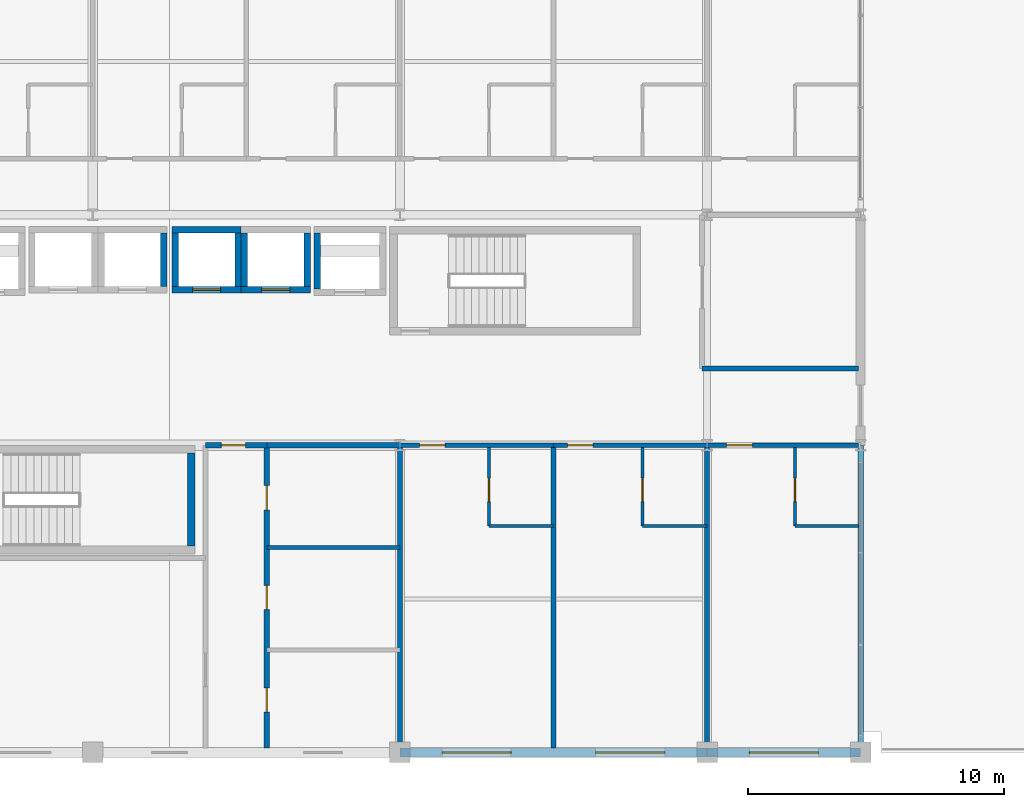
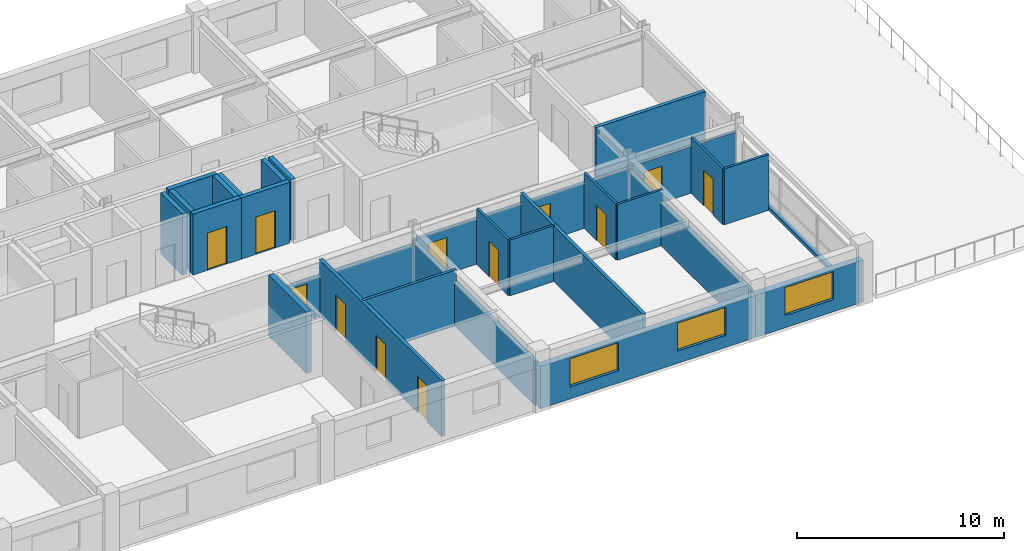
# One storey, part 23 of 27: 30 walls, 12 doors, 3 windows, 15 openings.
"""IFC4 building model written with IfcOpenShell, lengths in metres."""

import ifcopenshell
import ifcopenshell.guid

model = None  # the IFC model being written
_history = None  # IfcOwnerHistory: only IFC2X3 demands one
_inside = {}  # id of a spatial element -> (the spatial element, [elements in it])
_under = {}  # id of a project, library or spatial element -> (it, [spatial elements below it])
_declared = {}  # id of a project -> (the project, [libraries it declares])
_typed = {}  # id of a type object -> (the type object, [elements of that type])
_made_of = {}  # id of a material, layer set ... -> (it, [elements and type objects made of it])


def new_model(schema):
    """Start an empty IFC model of exactly this schema.

    Asked for "IFC4X3", IfcOpenShell would pick the latest addendum, in which some entities
    have other attributes; the version numbers below select the first issue.
    IFC2X3 requires an IfcOwnerHistory on every rooted entity: one is made here for all.
    """
    global model, _history
    if schema == "IFC4X3":
        model = ifcopenshell.file(schema_version=(4, 3, 0, 0))
    else:
        model = ifcopenshell.file(schema=schema)
    _inside.clear()
    _under.clear()
    _declared.clear()
    _typed.clear()
    _made_of.clear()
    _history = None
    if model.schema == "IFC2X3":
        org = make("IfcOrganization", Name="unknown")
        user = make(
            "IfcPersonAndOrganization",
            ThePerson=make("IfcPerson", FamilyName="unknown"),
            TheOrganization=org,
        )
        app = make(
            "IfcApplication",
            ApplicationDeveloper=org,
            Version="unknown",
            ApplicationFullName="unknown",
            ApplicationIdentifier="unknown",
        )
        _history = make(
            "IfcOwnerHistory",
            OwningUser=user,
            OwningApplication=app,
            ChangeAction="ADDED",
            CreationDate=0,
        )
    return model


def make(cls, **values):
    """One entity of the class cls with the attributes given. An attribute that is None is left unset."""
    return model.create_entity(
        cls, **{name: value for name, value in values.items() if value is not None}
    )


def rooted(cls, **values):
    """An entity with a GlobalId (a new one), such as an element, a storey or a relation."""
    return make(cls, GlobalId=ifcopenshell.guid.new(), OwnerHistory=_history, **values)


def si_unit(unit_type, name, prefix=None):
    """IfcSIUnit, for example si_unit("LENGTHUNIT", "METRE", prefix="MILLI")."""
    return make("IfcSIUnit", UnitType=unit_type, Prefix=prefix, Name=name)


def assignment(units):
    """IfcUnitAssignment: the units of a project."""
    return None if units is None else make("IfcUnitAssignment", Units=units)


def point(xyz):
    """IfcCartesianPoint."""
    return None if xyz is None else make("IfcCartesianPoint", Coordinates=xyz)


def direction(xyz):
    """IfcDirection."""
    return None if xyz is None else make("IfcDirection", DirectionRatios=xyz)


def frame(location, z_axis=None, x_axis=None):
    """IfcAxis2Placement3D, a coordinate frame: its origin and axes. An axis left out is left unset."""
    return make(
        "IfcAxis2Placement3D",
        Location=point(location),
        Axis=direction(z_axis),
        RefDirection=direction(x_axis),
    )


def frame_2d(location, x_axis=None):
    """IfcAxis2Placement2D, a coordinate frame in the plane: its origin and x axis."""
    return make(
        "IfcAxis2Placement2D", Location=point(location), RefDirection=direction(x_axis)
    )


def origin():
    """The frame at (0, 0, 0) with its axes left unset."""
    return frame((0.0, 0.0, 0.0))


def place(relative_to, where):
    """IfcLocalPlacement: puts the frame where relative to a parent placement (None: the world)."""
    return make(
        "IfcLocalPlacement", PlacementRelTo=relative_to, RelativePlacement=where
    )


def context(
    kind, dimensions, precision=None, world=None, true_north=None, identifier=None
):
    """IfcGeometricRepresentationContext, for example the 3D "Model" context."""
    return make(
        "IfcGeometricRepresentationContext",
        ContextIdentifier=identifier,
        ContextType=kind,
        CoordinateSpaceDimension=dimensions,
        Precision=precision,
        WorldCoordinateSystem=world,
        TrueNorth=true_north,
    )


def subcontext(parent, identifier, kind, view, scale=None):
    """IfcGeometricRepresentationSubContext, for example "Body" below "Model"."""
    return make(
        "IfcGeometricRepresentationSubContext",
        ContextIdentifier=identifier,
        ContextType=kind,
        ParentContext=parent,
        TargetScale=scale,
        TargetView=view,
    )


def project(units=None, contexts=None):
    """IfcProject with its units and contexts."""
    return rooted(
        "IfcProject",
        Name="project",
        RepresentationContexts=contexts,
        UnitsInContext=assignment(units),
    )


def spatial(cls, under=None, at=None, **own):
    """A site, building, storey or space (cls), placed at a placement, below another one or the project."""
    s = rooted(cls, ObjectPlacement=at, **own)
    if under is not None:
        _under.setdefault(under.id(), (under, []))[1].append(s)
    return s


def profile(cls, at=None, kind="AREA", **sizes):
    """A parametric profile (cls). Its sizes go by their IFC names, for example OverallWidth=200.0."""
    return make(cls, ProfileType=kind, Position=at, **sizes)


def rectangle(**sizes):
    """IfcRectangleProfileDef."""
    return profile("IfcRectangleProfileDef", **sizes)


def extrude(swept, where, along, depth):
    """IfcExtrudedAreaSolid: the profile swept, set in the frame where, extruded along a direction by depth."""
    return make(
        "IfcExtrudedAreaSolid",
        SweptArea=swept,
        Position=where,
        ExtrudedDirection=direction(along),
        Depth=depth,
    )


def shape(context_of_items, identifier, shape_type, items):
    """IfcShapeRepresentation: the items that make up one representation, for example the "Body"."""
    return make(
        "IfcShapeRepresentation",
        ContextOfItems=context_of_items,
        RepresentationIdentifier=identifier,
        RepresentationType=shape_type,
        Items=items,
    )


def material(Name=None, Category=None):
    """IfcMaterial."""
    return make("IfcMaterial", Name=Name, Category=Category)


def layer(
    of_material, thickness, ventilated=None, Name=None, Category=None, Priority=None
):
    """IfcMaterialLayer: one layer of a wall or slab, of a material (None: an air gap)."""
    return make(
        "IfcMaterialLayer",
        Material=of_material,
        LayerThickness=thickness,
        IsVentilated=ventilated,
        Name=Name,
        Category=Category,
        Priority=Priority,
    )


def layer_set(layers, Name=None):
    """IfcMaterialLayerSet."""
    return make("IfcMaterialLayerSet", MaterialLayers=layers, LayerSetName=Name)


def made_of(thing, what):
    """Note that an element or type object is made of a material, layer set ...; save() writes the relation."""
    if what is not None:
        _made_of.setdefault(what.id(), (what, []))[1].append(thing)
    return thing


def type_object(cls, material=None, **own):
    """A type object (cls), such as IfcWallType, which elements share."""
    return made_of(rooted(cls, **own), material)


def element(
    cls,
    number,
    at=None,
    inside=None,
    cuts=None,
    type_object=None,
    material=None,
    context=None,
    identifier="Body",
    shape_type=None,
    held_by="IfcProductDefinitionShape",
    body=None,
    shapes=None,
    **own,
):
    """One element of the class cls, such as IfcWall. Its Tag is "e" and its number.

    at: its placement. inside: the storey or other place that contains it. cuts: it is an
    opening in that element (IfcRelVoidsElement). A single representation is given by context,
    identifier, shape_type and body (its items); several are given by shapes. held_by: the class
    of the entity that holds the representations. save() writes the other relations.
    """
    e = rooted(cls, Tag="e%d" % number, ObjectPlacement=at, **own)
    if body is not None:
        shapes = [shape(context, identifier, shape_type, body)]
    if shapes is not None:
        e.Representation = make(held_by, Representations=shapes)
    if inside is not None:
        _inside.setdefault(inside.id(), (inside, []))[1].append(e)
    if cuts is not None:
        rooted(
            "IfcRelVoidsElement", RelatingBuildingElement=cuts, RelatedOpeningElement=e
        )
    if type_object is not None:
        _typed.setdefault(type_object.id(), (type_object, []))[1].append(e)
    return made_of(e, material)


def fill(opening, filler):
    """IfcRelFillsElement: the door or window that sits in an opening."""
    return rooted(
        "IfcRelFillsElement",
        RelatingOpeningElement=opening,
        RelatedBuildingElement=filler,
    )


def aggregate(whole, parts):
    """IfcRelAggregates: a whole, such as a stair, and the parts it consists of."""
    return rooted("IfcRelAggregates", RelatingObject=whole, RelatedObjects=parts)


def save(model, path):
    """Write the relations noted so far, then the file.

    IfcRelAggregates (storeys below a building ...), IfcRelContainedInSpatialStructure (elements
    in a storey), IfcRelDefinesByType, IfcRelAssociatesMaterial and IfcRelDeclares: one each for
    every whole, place, type object, material and project.
    """
    for whole, parts in _under.values():
        aggregate(whole, parts)
    for where, things in _inside.values():
        rooted(
            "IfcRelContainedInSpatialStructure",
            RelatedElements=things,
            RelatingStructure=where,
        )
    for kind, things in _typed.values():
        rooted("IfcRelDefinesByType", RelatedObjects=things, RelatingType=kind)
    for what, things in _made_of.values():
        rooted("IfcRelAssociatesMaterial", RelatedObjects=things, RelatingMaterial=what)
    for by, libraries in _declared.values():
        rooted("IfcRelDeclares", RelatingContext=by, RelatedDefinitions=libraries)
    model.write(path)


model = new_model("IFC4")

# Units and contexts
model_context = context("Model", 3, precision=1e-05, world=origin(), true_north=direction((0.0, 1.0)))
body_context = subcontext(model_context, "Body", "Model", "MODEL_VIEW")
ifc_project = project(units=[si_unit("LENGTHUNIT", "METRE"), si_unit("AREAUNIT", "SQUARE_METRE"), si_unit("VOLUMEUNIT", "CUBIC_METRE"), si_unit("PLANEANGLEUNIT", "RADIAN"), si_unit("MASSUNIT", "GRAM", prefix="KILO")], contexts=[model_context])

# Site, building, storey
site_placement = place(None, origin())
site = spatial("IfcSite", under=ifc_project, at=site_placement, CompositionType="ELEMENT")
building_placement = place(site_placement, origin())
building = spatial("IfcBuilding", under=site, at=building_placement, Name="Kaldorvane Square Convention Centre", CompositionType="ELEMENT")
storey_placement = place(building_placement, frame((0.0, 0.0, 38.399993896484375)))
storey = spatial("IfcBuildingStorey", under=building, at=storey_placement, Name="L08", CompositionType="ELEMENT", Elevation=38.399993896484375)

# Wall, opening, door
ifc_material_1 = material(Name="Fire-Rated Gypsum Board on Acoustic Steel Studs", Category="steel")
ifc_layer_1 = layer(ifc_material_1, 0.125)
ifc_layer_set_1 = layer_set([ifc_layer_1], Name="Fire-Rated Gypsum Board on Acoustic Steel Studs")
wall_type_1 = type_object("IfcWallType", Name="WL-BATH-125", PredefinedType="PARTITIONING", material=ifc_layer_set_1)
wall_1_placement = place(storey_placement, frame((69.47999572753906, 92.85000610351562, 0.0), z_axis=(0.0, 0.0, 1.0), x_axis=(0.0, 1.0, 0.0)))
wall_1 = element("IfcWall", 1, at=wall_1_placement, inside=storey, type_object=wall_type_1, Name="En-Suite 815 West Wall", PredefinedType="PARTITIONING", context=body_context, shape_type="SweptSolid", body=[
    extrude(rectangle(XDim=3.05999755859375, YDim=0.125, at=frame_2d((1.529998779296875, 0.0))), origin(), (0.0, 0.0, 1.0), 3.290008544921875),
])
opening_1_placement = place(wall_1_placement, frame((0.9499969482421875, 0.0, 0.0)))
opening_1 = element("IfcOpeningElement", 2, at=opening_1_placement, cuts=wall_1, Name="Opening ID-12", PredefinedType="OPENING", context=body_context, shape_type="SweptSolid", body=[
    extrude(rectangle(XDim=0.9199981689453125, YDim=2.100006103515625, at=frame_2d((0.459991455078125, 1.0500030517578125))), frame((0.0, 0.0774993896484375, 0.0), z_axis=(0.0, -1.0, 0.0), x_axis=(1.0, 0.0, 0.0)), (0.0, 0.0, 1.0), 0.154998779296875),
])
ifc_material_2 = material(Name="Architectural Solid-Core White Oak")
door_type_1 = type_object("IfcDoorType", Name="DR-BATH-0920X2100", OperationType="SINGLE_SWING_RIGHT", PredefinedType="DOOR", material=ifc_material_2)
door_1_placement = place(opening_1_placement, origin())
door_1 = element("IfcDoor", 3, at=door_1_placement, inside=storey, type_object=door_type_1, Name="En-Suite Bathroom 815 Door", OperationType="SINGLE_SWING_RIGHT", OverallHeight=2.100006103515625, OverallWidth=0.9199981689453125, PredefinedType="DOOR", context=body_context, shape_type="SweptSolid", body=[
    extrude(rectangle(XDim=0.9199981689453125, YDim=2.100006103515625, at=frame_2d((0.459991455078125, 1.0500030517578125))), frame((0.0, 0.024993896484375, 0.0), z_axis=(0.0, -1.0, 0.0), x_axis=(1.0, 0.0, 0.0)), (0.0, 0.0, 1.0), 0.0500030517578125),
])
fill(opening_1, door_1)

# Wall
wall_2_placement = place(storey_placement, frame((69.47999572753906, 92.85000610351562, 0.0), z_axis=(0.0, 0.0, 1.0), x_axis=(1.0, 0.0, 0.0)))
element("IfcWall", 4, at=wall_2_placement, inside=storey, type_object=wall_type_1, Name="En-Suite 815 South Wall", PredefinedType="PARTITIONING", context=body_context, shape_type="SweptSolid", body=[
    extrude(rectangle(XDim=2.5200042724609375, YDim=0.125, at=frame_2d((1.260009765625, 0.0))), origin(), (0.0, 0.0, 1.0), 3.290008544921875),
])

# Wall, opening, door
wall_3_placement = place(storey_placement, frame((75.47999572753906, 92.85000610351562, 0.0), z_axis=(0.0, 0.0, 1.0), x_axis=(0.0, 1.0, 0.0)))
wall_3 = element("IfcWall", 5, at=wall_3_placement, inside=storey, type_object=wall_type_1, Name="En-Suite 816 West Wall", PredefinedType="PARTITIONING", context=body_context, shape_type="SweptSolid", body=[
    extrude(rectangle(XDim=3.05999755859375, YDim=0.125, at=frame_2d((1.529998779296875, 0.0))), origin(), (0.0, 0.0, 1.0), 3.290008544921875),
])
opening_2_placement = place(wall_3_placement, frame((0.9499969482421875, 0.0, 0.0)))
opening_2 = element("IfcOpeningElement", 6, at=opening_2_placement, cuts=wall_3, Name="Opening ID-12", PredefinedType="OPENING", context=body_context, shape_type="SweptSolid", body=[
    extrude(rectangle(XDim=0.9199981689453125, YDim=2.100006103515625, at=frame_2d((0.459991455078125, 1.0500030517578125))), frame((0.0, 0.0774993896484375, 0.0), z_axis=(0.0, -1.0, 0.0), x_axis=(1.0, 0.0, 0.0)), (0.0, 0.0, 1.0), 0.154998779296875),
])
door_2_placement = place(opening_2_placement, origin())
door_2 = element("IfcDoor", 7, at=door_2_placement, inside=storey, type_object=door_type_1, Name="En-Suite Bathroom 816 Door", OperationType="SINGLE_SWING_RIGHT", OverallHeight=2.100006103515625, OverallWidth=0.9199981689453125, PredefinedType="DOOR", context=body_context, shape_type="SweptSolid", body=[
    extrude(rectangle(XDim=0.9199981689453125, YDim=2.100006103515625, at=frame_2d((0.459991455078125, 1.0500030517578125))), frame((0.0, 0.024993896484375, 0.0), z_axis=(0.0, -1.0, 0.0), x_axis=(1.0, 0.0, 0.0)), (0.0, 0.0, 1.0), 0.0500030517578125),
])
fill(opening_2, door_2)

# Wall
wall_4_placement = place(storey_placement, frame((75.47999572753906, 92.85000610351562, 0.0), z_axis=(0.0, 0.0, 1.0), x_axis=(1.0, 0.0, 0.0)))
element("IfcWall", 8, at=wall_4_placement, inside=storey, type_object=wall_type_1, Name="En-Suite 816 South Wall", PredefinedType="PARTITIONING", context=body_context, shape_type="SweptSolid", body=[
    extrude(rectangle(XDim=2.5200042724609375, YDim=0.125, at=frame_2d((1.260009765625, 0.0))), origin(), (0.0, 0.0, 1.0), 3.290008544921875),
])

# Wall, opening, door
wall_5_placement = place(storey_placement, frame((81.43499755859375, 92.85000610351562, 0.0), z_axis=(0.0, 0.0, 1.0), x_axis=(0.0, 1.0, 0.0)))
wall_5 = element("IfcWall", 9, at=wall_5_placement, inside=storey, type_object=wall_type_1, Name="En-Suite 817 West Wall", PredefinedType="PARTITIONING", context=body_context, shape_type="SweptSolid", body=[
    extrude(rectangle(XDim=3.05999755859375, YDim=0.125, at=frame_2d((1.529998779296875, 0.0))), origin(), (0.0, 0.0, 1.0), 3.290008544921875),
])
opening_3_placement = place(wall_5_placement, frame((0.9499969482421875, 0.0, 0.0)))
opening_3 = element("IfcOpeningElement", 10, at=opening_3_placement, cuts=wall_5, Name="Opening ID-12", PredefinedType="OPENING", context=body_context, shape_type="SweptSolid", body=[
    extrude(rectangle(XDim=0.9199981689453125, YDim=2.100006103515625, at=frame_2d((0.459991455078125, 1.0500030517578125))), frame((0.0, 0.0774993896484375, 0.0), z_axis=(0.0, -1.0, 0.0), x_axis=(1.0, 0.0, 0.0)), (0.0, 0.0, 1.0), 0.154998779296875),
])
door_3_placement = place(opening_3_placement, origin())
door_3 = element("IfcDoor", 11, at=door_3_placement, inside=storey, type_object=door_type_1, Name="En-Suite Bathroom 817 Door", OperationType="SINGLE_SWING_RIGHT", OverallHeight=2.100006103515625, OverallWidth=0.9199981689453125, PredefinedType="DOOR", context=body_context, shape_type="SweptSolid", body=[
    extrude(rectangle(XDim=0.9199981689453125, YDim=2.100006103515625, at=frame_2d((0.459991455078125, 1.0500030517578125))), frame((0.0, 0.024993896484375, 0.0), z_axis=(0.0, -1.0, 0.0), x_axis=(1.0, 0.0, 0.0)), (0.0, 0.0, 1.0), 0.0500030517578125),
])
fill(opening_3, door_3)

# Wall
wall_6_placement = place(storey_placement, frame((81.43499755859375, 92.85000610351562, 0.0), z_axis=(0.0, 0.0, 1.0), x_axis=(1.0, 0.0, 0.0)))
element("IfcWall", 12, at=wall_6_placement, inside=storey, type_object=wall_type_1, Name="En-Suite 817 South Wall", PredefinedType="PARTITIONING", context=body_context, shape_type="SweptSolid", body=[
    extrude(rectangle(XDim=2.4799957275390625, YDim=0.125, at=frame_2d((1.239990234375, 0.0))), origin(), (0.0, 0.0, 1.0), 3.290008544921875),
])

# Wall, opening, door
ifc_layer_2 = layer(ifc_material_1, 0.1999969482421875)
ifc_layer_set_2 = layer_set([ifc_layer_2], Name="Fire-Rated Gypsum Board on Acoustic Steel Studs")
wall_type_2 = type_object("IfcWallType", Name="WL-CORR-200", PredefinedType="PARTITIONING", material=ifc_layer_set_2)
wall_7_placement = place(storey_placement, frame((58.399993896484375, 96.0, 0.0), z_axis=(0.0, 0.0, 1.0), x_axis=(1.0, 0.0, 0.0)))
wall_7 = element("IfcWall", 13, at=wall_7_placement, inside=storey, type_object=wall_type_2, Name="Restroom Vestibule Entry Header (L08)", PredefinedType="PARTITIONING", context=body_context, shape_type="SweptSolid", body=[
    extrude(rectangle(XDim=2.4000091552734375, YDim=0.1999969482421875, at=frame_2d((1.20001220703125, 0.0))), origin(), (0.0, 0.0, 1.0), 2.3590087890625),
])
opening_4_placement = place(wall_7_placement, frame((0.625, 0.0, 0.0)))
opening_4 = element("IfcOpeningElement", 14, at=opening_4_placement, cuts=wall_7, Name="Opening ID-13", PredefinedType="OPENING", context=body_context, shape_type="SweptSolid", body=[
    extrude(rectangle(XDim=0.9499969482421875, YDim=2.149993896484375, at=frame_2d((0.475006103515625, 1.0749969482421875))), frame((0.0, 0.114990234375, 0.0), z_axis=(0.0, -1.0, 0.0), x_axis=(1.0, 0.0, 0.0)), (0.0, 0.0, 1.0), 0.2299957275390625),
])
door_type_2 = type_object("IfcDoorType", Name="DR-WC-0950X2150", OperationType="SINGLE_SWING_LEFT", PredefinedType="DOOR", material=ifc_material_2)
door_4_placement = place(opening_4_placement, origin())
door_4 = element("IfcDoor", 15, at=door_4_placement, inside=storey, type_object=door_type_2, Name="Restroom Vestibule Door (L08)", OperationType="SINGLE_SWING_LEFT", OverallHeight=2.149993896484375, OverallWidth=0.9499969482421875, PredefinedType="DOOR", context=body_context, shape_type="SweptSolid", body=[
    extrude(rectangle(XDim=0.9499969482421875, YDim=2.149993896484375, at=frame_2d((0.475006103515625, 1.0749969482421875))), frame((0.0, 0.024993896484375, 0.0), z_axis=(0.0, -1.0, 0.0), x_axis=(1.0, 0.0, 0.0)), (0.0, 0.0, 1.0), 0.0500030517578125),
])
fill(opening_4, door_4)

# Wall, openings, doors
wall_8_placement = place(storey_placement, frame((60.80000305175781, 84.17500305175781, 0.0), z_axis=(0.0, 0.0, 1.0), x_axis=(0.0, 1.0, 0.0)))
wall_8 = element("IfcWall", 16, at=wall_8_placement, inside=storey, type_object=wall_type_2, Name="Restroom Vestibule East Wall (L08)", PredefinedType="PARTITIONING", context=body_context, shape_type="SweptSolid", body=[
    extrude(rectangle(XDim=11.824996948242188, YDim=0.1999969482421875, at=frame_2d((5.912506103515625, 0.0))), origin(), (0.0, 0.0, 1.0), 3.290008544921875),
])
opening_5_placement = place(wall_8_placement, frame((1.399993896484375, 0.0, 0.0)))
opening_5 = element("IfcOpeningElement", 17, at=opening_5_placement, cuts=wall_8, Name="Opening ID-13", PredefinedType="OPENING", context=body_context, shape_type="SweptSolid", body=[
    extrude(rectangle(XDim=0.9499969482421875, YDim=2.149993896484375, at=frame_2d((0.475006103515625, 1.0749969482421875))), frame((0.0, 0.114990234375, 0.0), z_axis=(0.0, -1.0, 0.0), x_axis=(1.0, 0.0, 0.0)), (0.0, 0.0, 1.0), 0.2299957275390625),
])
opening_6_placement = place(wall_8_placement, frame((5.399993896484375, 0.0, 0.0)))
opening_6 = element("IfcOpeningElement", 18, at=opening_6_placement, cuts=wall_8, Name="Opening ID-13", PredefinedType="OPENING", context=body_context, shape_type="SweptSolid", body=[
    extrude(rectangle(XDim=0.9499969482421875, YDim=2.149993896484375, at=frame_2d((0.475006103515625, 1.0749969482421875))), frame((0.0, 0.114990234375, 0.0), z_axis=(0.0, -1.0, 0.0), x_axis=(1.0, 0.0, 0.0)), (0.0, 0.0, 1.0), 0.2299957275390625),
])
opening_7_placement = place(wall_8_placement, frame((9.300003051757812, 0.0, 0.0)))
opening_7 = element("IfcOpeningElement", 19, at=opening_7_placement, cuts=wall_8, Name="Opening ID-13", PredefinedType="OPENING", context=body_context, shape_type="SweptSolid", body=[
    extrude(rectangle(XDim=0.9499969482421875, YDim=2.149993896484375, at=frame_2d((0.475006103515625, 1.0749969482421875))), frame((0.0, 0.114990234375, 0.0), z_axis=(0.0, -1.0, 0.0), x_axis=(1.0, 0.0, 0.0)), (0.0, 0.0, 1.0), 0.2299957275390625),
])
door_5_placement = place(opening_5_placement, origin())
door_5 = element("IfcDoor", 20, at=door_5_placement, inside=storey, type_object=door_type_2, Name="Accessible Restroom Door (L08)", OperationType="SINGLE_SWING_LEFT", OverallHeight=2.149993896484375, OverallWidth=0.9499969482421875, PredefinedType="DOOR", context=body_context, shape_type="SweptSolid", body=[
    extrude(rectangle(XDim=0.9499969482421875, YDim=2.149993896484375, at=frame_2d((0.475006103515625, 1.0749969482421875))), frame((0.0, 0.024993896484375, 0.0), z_axis=(0.0, -1.0, 0.0), x_axis=(1.0, 0.0, 0.0)), (0.0, 0.0, 1.0), 0.0500030517578125),
])
fill(opening_5, door_5)
door_6_placement = place(opening_6_placement, origin())
door_6 = element("IfcDoor", 21, at=door_6_placement, inside=storey, type_object=door_type_2, Name="Men's Restroom Door (L08)", OperationType="SINGLE_SWING_LEFT", OverallHeight=2.149993896484375, OverallWidth=0.9499969482421875, PredefinedType="DOOR", context=body_context, shape_type="SweptSolid", body=[
    extrude(rectangle(XDim=0.9499969482421875, YDim=2.149993896484375, at=frame_2d((0.475006103515625, 1.0749969482421875))), frame((0.0, 0.024993896484375, 0.0), z_axis=(0.0, -1.0, 0.0), x_axis=(1.0, 0.0, 0.0)), (0.0, 0.0, 1.0), 0.0500030517578125),
])
fill(opening_6, door_6)
door_7_placement = place(opening_7_placement, origin())
door_7 = element("IfcDoor", 22, at=door_7_placement, inside=storey, type_object=door_type_2, Name="Women's Restroom Door (L08)", OperationType="SINGLE_SWING_LEFT", OverallHeight=2.149993896484375, OverallWidth=0.9499969482421875, PredefinedType="DOOR", context=body_context, shape_type="SweptSolid", body=[
    extrude(rectangle(XDim=0.9499969482421875, YDim=2.149993896484375, at=frame_2d((0.475006103515625, 1.0749969482421875))), frame((0.0, 0.024993896484375, 0.0), z_axis=(0.0, -1.0, 0.0), x_axis=(1.0, 0.0, 0.0)), (0.0, 0.0, 1.0), 0.0500030517578125),
])
fill(opening_7, door_7)

# Walls
wall_9_placement = place(storey_placement, frame((66.0, 84.17500305175781, 0.0), z_axis=(0.0, 0.0, 1.0), x_axis=(0.0, 1.0, 0.0)))
element("IfcWall", 23, at=wall_9_placement, inside=storey, type_object=wall_type_2, Name="Restroom East Wall (L08)", PredefinedType="PARTITIONING", context=body_context, shape_type="SweptSolid", body=[
    extrude(rectangle(XDim=11.824996948242188, YDim=0.1999969482421875, at=frame_2d((5.912506103515625, 0.0))), origin(), (0.0, 0.0, 1.0), 2.5900115966796875),
])
wall_10_placement = place(storey_placement, frame((60.80000305175781, 96.0, 0.0), z_axis=(0.0, 0.0, 1.0), x_axis=(1.0, 0.0, 0.0)))
element("IfcWall", 24, at=wall_10_placement, inside=storey, type_object=wall_type_2, Name="Restroom North Wall (L08)", PredefinedType="PARTITIONING", context=body_context, shape_type="SweptSolid", body=[
    extrude(rectangle(XDim=5.1999969482421875, YDim=0.1999969482421875, at=frame_2d((2.600006103515625, 0.0))), origin(), (0.0, 0.0, 1.0), 2.3590087890625),
])
wall_11_placement = place(storey_placement, frame((77.80000305175781, 99.0, 0.0), z_axis=(0.0, 0.0, 1.0), x_axis=(1.0, 0.0, 0.0)))
element("IfcWall", 25, at=wall_11_placement, inside=storey, type_object=wall_type_2, Name="East Square View Lounge (L08) S Wall", PredefinedType="PARTITIONING", context=body_context, shape_type="SweptSolid", body=[
    extrude(rectangle(XDim=6.114990234375, YDim=0.1999969482421875, at=frame_2d((3.0574951171875, 0.0))), origin(), (0.0, 0.0, 1.0), 3.290008544921875),
])

# Wall, openings, windows
ifc_material_3 = material(Name="Concrete f'c = 42 MPa (Normalweight)", Category="concrete")
ifc_layer_3 = layer(ifc_material_3, 0.350006103515625)
ifc_layer_set_3 = layer_set([ifc_layer_3], Name="Concrete f'c = 42 MPa (Normalweight)")
wall_type_3 = type_object("IfcWallType", Name="WL-EXT-350", PredefinedType="STANDARD", material=ifc_layer_set_3)
wall_12_placement = place(storey_placement, frame((66.0, 84.0, 0.0), z_axis=(0.0, 0.0, 1.0), x_axis=(1.0, 0.0, 0.0)))
wall_12 = element("IfcWall", 26, at=wall_12_placement, inside=storey, type_object=wall_type_3, Name="Hotel S Brutalist Facade Wall (L08)", PredefinedType="STANDARD", context=body_context, shape_type="SweptSolid", body=[
    extrude(rectangle(XDim=12.0, YDim=0.350006103515625, at=frame_2d((6.0, 0.0))), origin(), (0.0, 0.0, 1.0), 2.4860076904296875),
])
opening_8_placement = place(wall_12_placement, frame((1.649993896484375, 0.0, 0.720001220703125)))
opening_8 = element("IfcOpeningElement", 27, at=opening_8_placement, cuts=wall_12, Name="Opening W-03", PredefinedType="OPENING", context=body_context, shape_type="SweptSolid", body=[
    extrude(rectangle(XDim=2.6999969482421875, YDim=1.649993896484375, at=frame_2d((1.350006103515625, 0.8249969482421875))), frame((0.0, 0.19000244140625, 0.0), z_axis=(0.0, -1.0, 0.0), x_axis=(1.0, 0.0, 0.0)), (0.0, 0.0, 1.0), 0.3800048828125),
])
opening_9_placement = place(wall_12_placement, frame((7.649993896484375, 0.0, 0.720001220703125)))
opening_9 = element("IfcOpeningElement", 28, at=opening_9_placement, cuts=wall_12, Name="Opening W-03", PredefinedType="OPENING", context=body_context, shape_type="SweptSolid", body=[
    extrude(rectangle(XDim=2.6999969482421875, YDim=1.649993896484375, at=frame_2d((1.350006103515625, 0.8249969482421875))), frame((0.0, 0.19000244140625, 0.0), z_axis=(0.0, -1.0, 0.0), x_axis=(1.0, 0.0, 0.0)), (0.0, 0.0, 1.0), 0.3800048828125),
])
ifc_material_4 = material(Name="Anodized Aluminum and Low-E Insulated Glazing", Category="aluminium")
window_type = type_object("IfcWindowType", Name="WN-HTL-2700X1650", PartitioningType="TRIPLE_PANEL_VERTICAL", PredefinedType="WINDOW", material=ifc_material_4)
window_1_placement = place(opening_8_placement, origin())
window_1 = element("IfcWindow", 29, at=window_1_placement, inside=storey, type_object=window_type, Name="Hotel S Window (L08)", OverallHeight=1.649993896484375, OverallWidth=2.6999969482421875, PartitioningType="TRIPLE_PANEL_VERTICAL", PredefinedType="WINDOW", context=body_context, shape_type="SweptSolid", body=[
    extrude(rectangle(XDim=2.6999969482421875, YDim=1.649993896484375, at=frame_2d((1.350006103515625, 0.8249969482421875))), frame((0.0, 0.029998779296875, 0.0), z_axis=(0.0, -1.0, 0.0), x_axis=(1.0, 0.0, 0.0)), (0.0, 0.0, 1.0), 0.05999755859375),
])
fill(opening_8, window_1)
window_2_placement = place(opening_9_placement, origin())
window_2 = element("IfcWindow", 30, at=window_2_placement, inside=storey, type_object=window_type, Name="Hotel S Window (L08)", OverallHeight=1.649993896484375, OverallWidth=2.6999969482421875, PartitioningType="TRIPLE_PANEL_VERTICAL", PredefinedType="WINDOW", context=body_context, shape_type="SweptSolid", body=[
    extrude(rectangle(XDim=2.6999969482421875, YDim=1.649993896484375, at=frame_2d((1.350006103515625, 0.8249969482421875))), frame((0.0, 0.029998779296875, 0.0), z_axis=(0.0, -1.0, 0.0), x_axis=(1.0, 0.0, 0.0)), (0.0, 0.0, 1.0), 0.05999755859375),
])
fill(opening_9, window_2)

# Wall, opening, window
wall_13_placement = place(storey_placement, frame((78.0, 84.0, 0.0), z_axis=(0.0, 0.0, 1.0), x_axis=(1.0, 0.0, 0.0)))
wall_13 = element("IfcWall", 31, at=wall_13_placement, inside=storey, type_object=wall_type_3, Name="Hotel S Brutalist Facade Wall (L08)", PredefinedType="STANDARD", context=body_context, shape_type="SweptSolid", body=[
    extrude(rectangle(XDim=6.0, YDim=0.350006103515625, at=frame_2d((3.0, 0.0))), origin(), (0.0, 0.0, 1.0), 2.4860076904296875),
])
opening_10_placement = place(wall_13_placement, frame((1.649993896484375, 0.0, 0.720001220703125)))
opening_10 = element("IfcOpeningElement", 32, at=opening_10_placement, cuts=wall_13, Name="Opening W-03", PredefinedType="OPENING", context=body_context, shape_type="SweptSolid", body=[
    extrude(rectangle(XDim=2.6999969482421875, YDim=1.649993896484375, at=frame_2d((1.350006103515625, 0.8249969482421875))), frame((0.0, 0.19000244140625, 0.0), z_axis=(0.0, -1.0, 0.0), x_axis=(1.0, 0.0, 0.0)), (0.0, 0.0, 1.0), 0.3800048828125),
])
window_3_placement = place(opening_10_placement, origin())
window_3 = element("IfcWindow", 33, at=window_3_placement, inside=storey, type_object=window_type, Name="Hotel S Window (L08)", OverallHeight=1.649993896484375, OverallWidth=2.6999969482421875, PartitioningType="TRIPLE_PANEL_VERTICAL", PredefinedType="WINDOW", context=body_context, shape_type="SweptSolid", body=[
    extrude(rectangle(XDim=2.6999969482421875, YDim=1.649993896484375, at=frame_2d((1.350006103515625, 0.8249969482421875))), frame((0.0, 0.029998779296875, 0.0), z_axis=(0.0, -1.0, 0.0), x_axis=(1.0, 0.0, 0.0)), (0.0, 0.0, 1.0), 0.05999755859375),
])
fill(opening_10, window_3)

# Walls
ifc_material_5 = material(Name="Concrete f'c = 35 MPa (Normalweight)", Category="concrete")
ifc_layer_4 = layer(ifc_material_5, 0.220001220703125)
ifc_layer_set_4 = layer_set([ifc_layer_4], Name="Concrete f'c = 35 MPa (Normalweight)")
wall_type_4 = type_object("IfcWallType", Name="WL-PAR-220", PredefinedType="PARAPET", material=ifc_layer_set_4)
wall_14_placement = place(storey_placement, frame((84.0, 84.0, 0.0), z_axis=(0.0, 0.0, 1.0), x_axis=(0.0, 1.0, 0.0)))
element("IfcWall", 34, at=wall_14_placement, inside=storey, type_object=wall_type_4, Name="Hotel End Curtain-Wall Sill (L08)", PredefinedType="PARAPET", context=body_context, shape_type="SweptSolid", body=[
    extrude(rectangle(XDim=12.0, YDim=0.220001220703125, at=frame_2d((6.0, 0.0))), origin(), (0.0, 0.0, 1.0), 0.20001220703125),
])
ifc_layer_5 = layer(ifc_material_1, 0.149993896484375)
ifc_layer_set_5 = layer_set([ifc_layer_5], Name="Fire-Rated Gypsum Board on Acoustic Steel Studs")
wall_type_5 = type_object("IfcWallType", Name="WL-PART-150", PredefinedType="PARTITIONING", material=ifc_layer_set_5)
wall_15_placement = place(storey_placement, frame((60.80000305175781, 92.0, 0.0), z_axis=(0.0, 0.0, 1.0), x_axis=(1.0, 0.0, 0.0)))
element("IfcWall", 35, at=wall_15_placement, inside=storey, type_object=wall_type_5, Name="Restroom Partition 2 (L08)", PredefinedType="PARTITIONING", context=body_context, shape_type="SweptSolid", body=[
    extrude(rectangle(XDim=5.1999969482421875, YDim=0.149993896484375, at=frame_2d((2.600006103515625, 0.0))), origin(), (0.0, 0.0, 1.0), 3.290008544921875),
])
ifc_material_6 = material(Name="Concrete f'c = 55 MPa (Normalweight)", Category="concrete")
ifc_layer_6 = layer(ifc_material_6, 0.3000030517578125)
ifc_layer_set_6 = layer_set([ifc_layer_6], Name="Concrete f'c = 55 MPa (Normalweight)")
wall_type_6 = type_object("IfcWallType", Name="WL-SHAFT-300", PredefinedType="SHEAR", material=ifc_layer_set_6)
wall_16_placement = place(storey_placement, frame((57.850006103515625, 92.05999755859375, 0.0), z_axis=(0.0, 0.0, 1.0), x_axis=(0.0, 1.0, 0.0)))
element("IfcWall", 36, at=wall_16_placement, inside=storey, type_object=wall_type_6, Name="Core Enclosure Wall stair:ST-T3-E (L08)", PredefinedType="SHEAR", context=body_context, shape_type="SweptSolid", body=[
    extrude(rectangle(XDim=3.6399993896484375, YDim=0.3000030517578125, at=frame_2d((1.82000732421875, 0.0))), origin(), (0.0, 0.0, 1.0), 3.600006103515625),
])
wall_17_placement = place(storey_placement, frame((62.774993896484375, 104.30000305175781, 0.0), z_axis=(0.0, 0.0, 1.0), x_axis=(0.0, -1.0, 0.0)))
element("IfcWall", 37, at=wall_17_placement, inside=storey, type_object=wall_type_6, Name="Core Enclosure Wall lift:FSAE-02-W (L08)", PredefinedType="SHEAR", context=body_context, shape_type="SweptSolid", body=[
    extrude(rectangle(XDim=2.1999969482421875, YDim=0.25, at=frame_2d((1.100006103515625, 0.0))), origin(), (0.0, 0.0, 1.0), 3.600006103515625),
])
wall_18_placement = place(storey_placement, frame((56.774993896484375, 102.19999694824219, 0.0), z_axis=(0.0, 0.0, 1.0), x_axis=(0.0, 1.0, 0.0)))
element("IfcWall", 38, at=wall_18_placement, inside=storey, type_object=wall_type_6, Name="Core Enclosure Wall lift:EL-P2-E (L08)", PredefinedType="SHEAR", context=body_context, shape_type="SweptSolid", body=[
    extrude(rectangle(XDim=2.100006103515625, YDim=0.25, at=frame_2d((1.0500030517578125, 0.0))), origin(), (0.0, 0.0, 1.0), 3.600006103515625),
])

# Wall, opening, door
wall_19_placement = place(storey_placement, frame((57.100006103515625, 102.07499694824219, 0.0), z_axis=(0.0, 0.0, 1.0), x_axis=(1.0, 0.0, 0.0)))
wall_19 = element("IfcWall", 39, at=wall_19_placement, inside=storey, type_object=wall_type_6, Name="Core Enclosure Wall lift:EL-P3-S (L08)", PredefinedType="SHEAR", context=body_context, shape_type="SweptSolid", body=[
    extrude(rectangle(XDim=2.6999969482421875, YDim=0.25, at=frame_2d((1.350006103515625, 0.0))), origin(), (0.0, 0.0, 1.0), 3.600006103515625),
])
opening_11_placement = place(wall_19_placement, frame((0.8000030517578125, 0.0, 0.0)))
opening_11 = element("IfcOpeningElement", 40, at=opening_11_placement, cuts=wall_19, Name="Opening LD-01", PredefinedType="OPENING", context=body_context, shape_type="SweptSolid", body=[
    extrude(rectangle(XDim=1.100006103515625, YDim=2.1999969482421875, at=frame_2d((0.5500030517578125, 1.100006103515625))), frame((0.0, 0.1399993896484375, 0.0), z_axis=(0.0, -1.0, 0.0), x_axis=(1.0, 0.0, 0.0)), (0.0, 0.0, 1.0), 0.279998779296875),
])
ifc_material_7 = material(Name="Stainless Steel Elevator Door Assembly", Category="steel")
door_type_3 = type_object("IfcDoorType", Name="DR-LIFT-1100", OperationType="DOUBLE_DOOR_SLIDING", PredefinedType="DOOR", material=ifc_material_7)
door_8_placement = place(opening_11_placement, origin())
door_8 = element("IfcDoor", 41, at=door_8_placement, inside=storey, type_object=door_type_3, Name="Elevator Landing Door EL-P3 (L08)", OperationType="DOUBLE_DOOR_SLIDING", OverallHeight=2.1999969482421875, OverallWidth=1.100006103515625, PredefinedType="DOOR", context=body_context, shape_type="SweptSolid", body=[
    extrude(rectangle(XDim=1.100006103515625, YDim=2.1999969482421875, at=frame_2d((0.5500030517578125, 1.100006103515625))), frame((0.0, 0.024993896484375, 0.0), z_axis=(0.0, -1.0, 0.0), x_axis=(1.0, 0.0, 0.0)), (0.0, 0.0, 1.0), 0.0500030517578125),
])
fill(opening_11, door_8)

# Walls
wall_20_placement = place(storey_placement, frame((59.80000305175781, 104.42500305175781, 0.0), z_axis=(0.0, 0.0, 1.0), x_axis=(-1.0, 0.0, 0.0)))
element("IfcWall", 42, at=wall_20_placement, inside=storey, type_object=wall_type_6, Name="Core Enclosure Wall lift:EL-P3-N (L08)", PredefinedType="SHEAR", context=body_context, shape_type="SweptSolid", body=[
    extrude(rectangle(XDim=2.6999969482421875, YDim=0.25, at=frame_2d((1.350006103515625, 0.0))), origin(), (0.0, 0.0, 1.0), 3.600006103515625),
])
for number, where, z_axis, x_axis, name in (
    (43, (57.225006103515625, 104.30000305175781, 0.0), (0.0, 0.0, 1.0), (0.0, -1.0, 0.0), "Core Enclosure Wall lift:EL-P3-W (L08)"),
    (44, (59.67500305175781, 102.19999694824219, 0.0), (0.0, 0.0, 1.0), (0.0, 1.0, 0.0), "Core Enclosure Wall lift:EL-P3-E (L08)"),
):
    element("IfcWall", number, at=place(storey_placement, frame(where, z_axis=z_axis, x_axis=x_axis)), inside=storey, type_object=wall_type_6, Name=name, PredefinedType="SHEAR", context=body_context, shape_type="SweptSolid", body=[
        extrude(rectangle(XDim=2.100006103515625, YDim=0.25, at=frame_2d((1.0500030517578125, 0.0))), origin(), (0.0, 0.0, 1.0), 3.600006103515625),
    ])

# Wall, opening, door
wall_21_placement = place(storey_placement, frame((59.80000305175781, 102.07499694824219, 0.0), z_axis=(0.0, 0.0, 1.0), x_axis=(1.0, 0.0, 0.0)))
wall_21 = element("IfcWall", 45, at=wall_21_placement, inside=storey, type_object=wall_type_6, Name="Core Enclosure Wall lift:EL-P4-S (L08)", PredefinedType="SHEAR", context=body_context, shape_type="SweptSolid", body=[
    extrude(rectangle(XDim=2.6999969482421875, YDim=0.25, at=frame_2d((1.350006103515625, 0.0))), origin(), (0.0, 0.0, 1.0), 3.600006103515625),
])
opening_12_placement = place(wall_21_placement, frame((0.8000030517578125, 0.0, 0.0)))
opening_12 = element("IfcOpeningElement", 46, at=opening_12_placement, cuts=wall_21, Name="Opening LD-01", PredefinedType="OPENING", context=body_context, shape_type="SweptSolid", body=[
    extrude(rectangle(XDim=1.100006103515625, YDim=2.1999969482421875, at=frame_2d((0.5500030517578125, 1.100006103515625))), frame((0.0, 0.1399993896484375, 0.0), z_axis=(0.0, -1.0, 0.0), x_axis=(1.0, 0.0, 0.0)), (0.0, 0.0, 1.0), 0.279998779296875),
])
door_9_placement = place(opening_12_placement, origin())
door_9 = element("IfcDoor", 47, at=door_9_placement, inside=storey, type_object=door_type_3, Name="Elevator Landing Door EL-P4 (L08)", OperationType="DOUBLE_DOOR_SLIDING", OverallHeight=2.1999969482421875, OverallWidth=1.100006103515625, PredefinedType="DOOR", context=body_context, shape_type="SweptSolid", body=[
    extrude(rectangle(XDim=1.100006103515625, YDim=2.1999969482421875, at=frame_2d((0.5500030517578125, 1.100006103515625))), frame((0.0, 0.024993896484375, 0.0), z_axis=(0.0, -1.0, 0.0), x_axis=(1.0, 0.0, 0.0)), (0.0, 0.0, 1.0), 0.0500030517578125),
])
fill(opening_12, door_9)

# Walls
for number, where, z_axis, x_axis, name in (
    (48, (59.92500305175781, 104.30000305175781, 0.0), (0.0, 0.0, 1.0), (0.0, -1.0, 0.0), "Core Enclosure Wall lift:EL-P4-W (L08)"),
    (49, (62.375, 102.19999694824219, 0.0), (0.0, 0.0, 1.0), (0.0, 1.0, 0.0), "Core Enclosure Wall lift:EL-P4-E (L08)"),
):
    element("IfcWall", number, at=place(storey_placement, frame(where, z_axis=z_axis, x_axis=x_axis)), inside=storey, type_object=wall_type_6, Name=name, PredefinedType="SHEAR", context=body_context, shape_type="SweptSolid", body=[
        extrude(rectangle(XDim=2.100006103515625, YDim=0.25, at=frame_2d((1.0500030517578125, 0.0))), origin(), (0.0, 0.0, 1.0), 3.600006103515625),
    ])

# Wall, opening, door
ifc_layer_7 = layer(ifc_material_1, 0.17999267578125)
ifc_layer_set_7 = layer_set([ifc_layer_7], Name="Fire-Rated Gypsum Board on Acoustic Steel Studs")
wall_type_7 = type_object("IfcWallType", Name="WL-UNIT-180", PredefinedType="PARTITIONING", material=ifc_layer_set_7)
wall_22_placement = place(storey_placement, frame((66.0, 96.0, 0.0), z_axis=(0.0, 0.0, 1.0), x_axis=(1.0, 0.0, 0.0)))
wall_22 = element("IfcWall", 50, at=wall_22_placement, inside=storey, type_object=wall_type_7, Name="Hotel Guest Room 815 Corridor Wall", PredefinedType="PARTITIONING", context=body_context, shape_type="SweptSolid", body=[
    extrude(rectangle(XDim=6.0, YDim=0.17999267578125, at=frame_2d((3.0, 0.0))), origin(), (0.0, 0.0, 1.0), 2.66400146484375),
])
opening_13_placement = place(wall_22_placement, frame((0.7700042724609375, 0.0, 0.0)))
opening_13 = element("IfcOpeningElement", 51, at=opening_13_placement, cuts=wall_22, Name="Opening ID-10", PredefinedType="OPENING", context=body_context, shape_type="SweptSolid", body=[
    extrude(rectangle(XDim=1.0, YDim=2.149993896484375, at=frame_2d((0.5, 1.0749969482421875))), frame((0.0, 0.1049957275390625, 0.0), z_axis=(0.0, -1.0, 0.0), x_axis=(1.0, 0.0, 0.0)), (0.0, 0.0, 1.0), 0.209991455078125),
])
door_type_4 = type_object("IfcDoorType", Name="DR-GUEST-1000X2150", OperationType="SINGLE_SWING_LEFT", PredefinedType="DOOR", material=ifc_material_2)
door_10_placement = place(opening_13_placement, origin())
door_10 = element("IfcDoor", 52, at=door_10_placement, inside=storey, type_object=door_type_4, Name="Hotel Guest Room 815 Entry Door", OperationType="SINGLE_SWING_LEFT", OverallHeight=2.149993896484375, OverallWidth=1.0, PredefinedType="DOOR", context=body_context, shape_type="SweptSolid", body=[
    extrude(rectangle(XDim=1.0, YDim=2.149993896484375, at=frame_2d((0.5, 1.0749969482421875))), frame((0.0, 0.024993896484375, 0.0), z_axis=(0.0, -1.0, 0.0), x_axis=(1.0, 0.0, 0.0)), (0.0, 0.0, 1.0), 0.0500030517578125),
])
fill(opening_13, door_10)

# Wall
wall_23_placement = place(storey_placement, frame((72.0, 84.17500305175781, 0.0), z_axis=(0.0, 0.0, 1.0), x_axis=(0.0, 1.0, 0.0)))
element("IfcWall", 53, at=wall_23_placement, inside=storey, type_object=wall_type_7, Name="Guestroom Demising Wall 815", PredefinedType="PARTITIONING", context=body_context, shape_type="SweptSolid", body=[
    extrude(rectangle(XDim=11.824996948242188, YDim=0.17999267578125, at=frame_2d((5.912506103515625, 0.0))), origin(), (0.0, 0.0, 1.0), 3.290008544921875),
])

# Wall, opening, door
wall_24_placement = place(storey_placement, frame((72.0, 96.0, 0.0), z_axis=(0.0, 0.0, 1.0), x_axis=(1.0, 0.0, 0.0)))
wall_24 = element("IfcWall", 54, at=wall_24_placement, inside=storey, type_object=wall_type_7, Name="Hotel Guest Room 816 Corridor Wall", PredefinedType="PARTITIONING", context=body_context, shape_type="SweptSolid", body=[
    extrude(rectangle(XDim=6.0, YDim=0.17999267578125, at=frame_2d((3.0, 0.0))), origin(), (0.0, 0.0, 1.0), 2.66400146484375),
])
opening_14_placement = place(wall_24_placement, frame((0.5500030517578125, 0.0, 0.0)))
opening_14 = element("IfcOpeningElement", 55, at=opening_14_placement, cuts=wall_24, Name="Opening ID-10", PredefinedType="OPENING", context=body_context, shape_type="SweptSolid", body=[
    extrude(rectangle(XDim=1.0, YDim=2.149993896484375, at=frame_2d((0.5, 1.0749969482421875))), frame((0.0, 0.1049957275390625, 0.0), z_axis=(0.0, -1.0, 0.0), x_axis=(1.0, 0.0, 0.0)), (0.0, 0.0, 1.0), 0.209991455078125),
])
door_11_placement = place(opening_14_placement, origin())
door_11 = element("IfcDoor", 56, at=door_11_placement, inside=storey, type_object=door_type_4, Name="Hotel Guest Room 816 Entry Door", OperationType="SINGLE_SWING_LEFT", OverallHeight=2.149993896484375, OverallWidth=1.0, PredefinedType="DOOR", context=body_context, shape_type="SweptSolid", body=[
    extrude(rectangle(XDim=1.0, YDim=2.149993896484375, at=frame_2d((0.5, 1.0749969482421875))), frame((0.0, 0.024993896484375, 0.0), z_axis=(0.0, -1.0, 0.0), x_axis=(1.0, 0.0, 0.0)), (0.0, 0.0, 1.0), 0.0500030517578125),
])
fill(opening_14, door_11)

# Wall
wall_25_placement = place(storey_placement, frame((78.0, 84.17500305175781, 0.0), z_axis=(0.0, 0.0, 1.0), x_axis=(0.0, 1.0, 0.0)))
element("IfcWall", 57, at=wall_25_placement, inside=storey, type_object=wall_type_7, Name="Guestroom Demising Wall 816", PredefinedType="PARTITIONING", context=body_context, shape_type="SweptSolid", body=[
    extrude(rectangle(XDim=11.824996948242188, YDim=0.17999267578125, at=frame_2d((5.912506103515625, 0.0))), origin(), (0.0, 0.0, 1.0), 2.5900115966796875),
])

# Wall, opening, door
wall_26_placement = place(storey_placement, frame((78.0, 96.0, 0.0), z_axis=(0.0, 0.0, 1.0), x_axis=(1.0, 0.0, 0.0)))
wall_26 = element("IfcWall", 58, at=wall_26_placement, inside=storey, type_object=wall_type_7, Name="Hotel Guest Room 817 Corridor Wall", PredefinedType="PARTITIONING", context=body_context, shape_type="SweptSolid", body=[
    extrude(rectangle(XDim=5.9149932861328125, YDim=0.17999267578125, at=frame_2d((2.957489013671875, 0.0))), origin(), (0.0, 0.0, 1.0), 2.7360076904296875),
])
opening_15_placement = place(wall_26_placement, frame((0.7700042724609375, 0.0, 0.0)))
opening_15 = element("IfcOpeningElement", 59, at=opening_15_placement, cuts=wall_26, Name="Opening ID-10", PredefinedType="OPENING", context=body_context, shape_type="SweptSolid", body=[
    extrude(rectangle(XDim=1.0, YDim=2.149993896484375, at=frame_2d((0.5, 1.0749969482421875))), frame((0.0, 0.1049957275390625, 0.0), z_axis=(0.0, -1.0, 0.0), x_axis=(1.0, 0.0, 0.0)), (0.0, 0.0, 1.0), 0.209991455078125),
])
door_12_placement = place(opening_15_placement, origin())
door_12 = element("IfcDoor", 60, at=door_12_placement, inside=storey, type_object=door_type_4, Name="Hotel Guest Room 817 Entry Door", OperationType="SINGLE_SWING_LEFT", OverallHeight=2.149993896484375, OverallWidth=1.0, PredefinedType="DOOR", context=body_context, shape_type="SweptSolid", body=[
    extrude(rectangle(XDim=1.0, YDim=2.149993896484375, at=frame_2d((0.5, 1.0749969482421875))), frame((0.0, 0.024993896484375, 0.0), z_axis=(0.0, -1.0, 0.0), x_axis=(1.0, 0.0, 0.0)), (0.0, 0.0, 1.0), 0.0500030517578125),
])
fill(opening_15, door_12)

save(model, "model.ifc")
